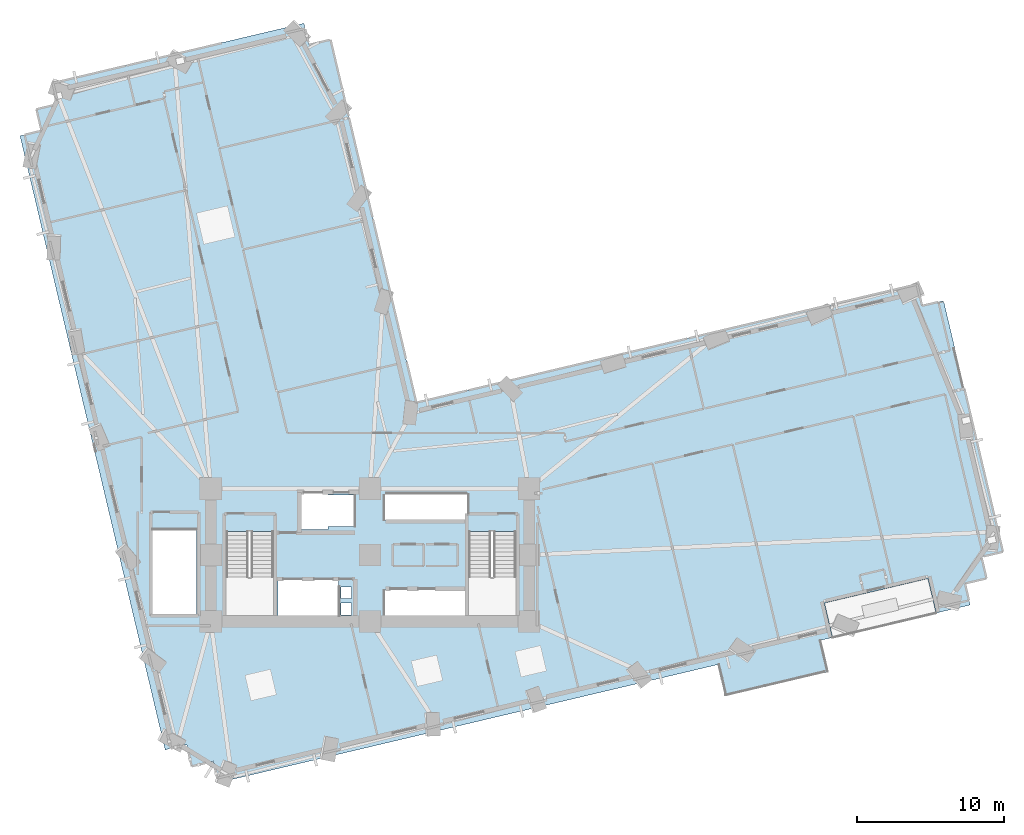
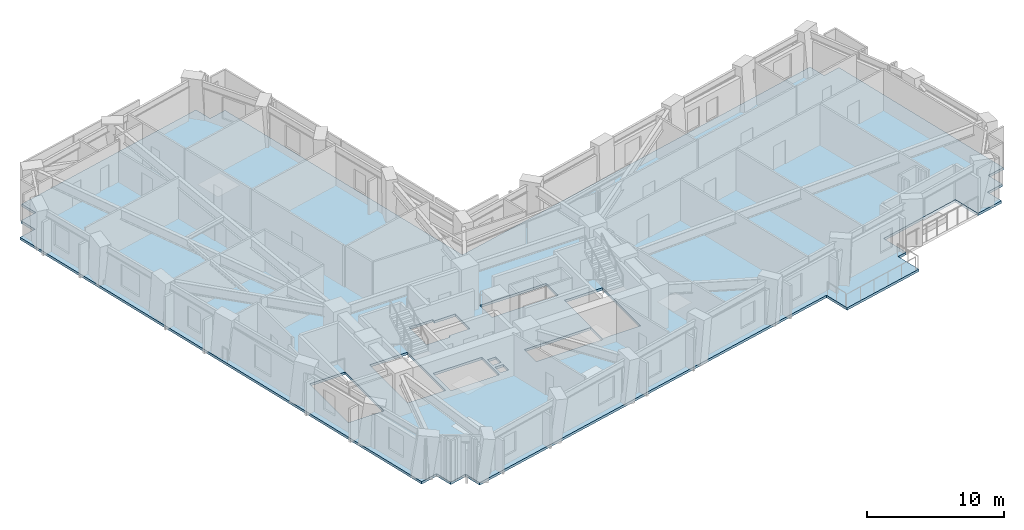
# One storey, part 4 of 14: 1 slab.
"""IFC4 building model written with IfcOpenShell, lengths in metres."""

from ifc_helpers import new_model, si_unit, direction, frame, origin, place, context, subcontext, project, spatial, polyline, outline, extrude, material, layer, layer_set, type_object, element, save


model = new_model("IFC4")

# Units and contexts
model_context = context("Model", 3, precision=1e-05, world=origin(), true_north=direction((0.0, 1.0)))
body_context = subcontext(model_context, "Body", "Model", "MODEL_VIEW")
ifc_project = project(units=[si_unit("LENGTHUNIT", "METRE"), si_unit("AREAUNIT", "SQUARE_METRE"), si_unit("VOLUMEUNIT", "CUBIC_METRE"), si_unit("PLANEANGLEUNIT", "RADIAN"), si_unit("MASSUNIT", "GRAM", prefix="KILO")], contexts=[model_context])

# Site, building, storey
site_placement = place(None, origin())
site = spatial("IfcSite", under=ifc_project, at=site_placement, CompositionType="ELEMENT")
building_placement = place(site_placement, origin())
building = spatial("IfcBuilding", under=site, at=building_placement, Name="Gaonmaruhae Medical Tower", CompositionType="ELEMENT")
storey_placement = place(building_placement, frame((0.0, 0.0, 79.0)))
storey = spatial("IfcBuildingStorey", under=building, at=storey_placement, Name="L18", CompositionType="ELEMENT", Elevation=79.0)

# Slab
ifc_material = material(Name="Concrete C40/50", Category="concrete")
ifc_layer = layer(ifc_material, 0.219970703125)
ifc_layer_set = layer_set([ifc_layer], Name="Concrete C40/50")
slab_type = type_object("IfcSlabType", Name="FS-220 Clinical Ward Composite Floor Slab", PredefinedType="FLOOR", material=ifc_layer_set)
slab_placement = place(storey_placement, frame((0.0, 0.0, -0.219970703125)))
element("IfcSlab", 1, at=slab_placement, inside=storey, type_object=slab_type, Name="L18 Structural Slab 1", PredefinedType="FLOOR", context=body_context, shape_type="SweptSolid", body=[
    extrude(outline(polyline([(14.170654296875, -1.679931640625), (12.710693359375, -2.02490234375), (12.36572265625, -0.565185546875), (10.906005859375, -0.910400390625), (1.059814453125, 40.74169921875), (2.51953125, 41.0869140625), (2.174560546875, 42.546630859375), (3.63427734375, 42.8916015625), (3.289306640625, 44.351318359375), (20.31982421875, 48.377197265625), (20.664794921875, 46.91748046875), (22.124755859375, 47.2626953125), (27.945068359375, 22.64111328125), (61.908935546875, 30.669921875), (62.25390625, 29.210205078125), (63.7138671875, 29.55517578125), (67.739501953125, 12.524658203125), (66.27978515625, 12.179443359375), (66.625, 10.7197265625), (65.165283203125, 10.374755859375), (65.51025390625, 8.914794921875), (63.198974609375, 8.368408203125), (62.646728515625, 10.7041015625), (55.639892578125, 9.0478515625), (56.19189453125, 6.712158203125), (55.41357421875, 6.528076171875), (55.919677734375, 4.38720703125), (48.91259765625, 2.730712890625), (48.406494140625, 4.871826171875), (14.515625, -3.1396484375), (14.170654296875, -1.679931640625)]), holes=[polyline([(23.550048828125, 8.25), (22.85009765625, 8.25), (22.85009765625, 9.050048828125), (23.550048828125, 9.050048828125), (23.550048828125, 8.25)]), polyline([(25.824951171875, 9.925048828125), (31.425048828125, 9.925048828125), (31.425048828125, 8.175048828125), (25.824951171875, 8.175048828125), (25.824951171875, 9.925048828125)]), polyline([(22.64990234375, 10.625), (22.64990234375, 8.074951171875), (18.550048828125, 8.074951171875), (18.550048828125, 10.625), (22.64990234375, 10.625)]), polyline([(23.550048828125, 9.35009765625), (22.85009765625, 9.35009765625), (22.85009765625, 10.14990234375), (23.550048828125, 10.14990234375), (23.550048828125, 9.35009765625)]), polyline([(15.050048828125, 13.889892578125), (18.25, 13.889892578125), (18.25, 8.300048828125), (15.050048828125, 8.300048828125), (15.050048828125, 13.889892578125)]), polyline([(31.5, 13.889892578125), (34.699951171875, 13.889892578125), (34.699951171875, 8.300048828125), (31.5, 8.300048828125), (31.5, 13.889892578125)]), polyline([(10.050048828125, 13.989990234375), (13.050048828125, 13.989990234375), (13.050048828125, 8.300048828125), (10.050048828125, 8.300048828125), (10.050048828125, 13.989990234375)]), polyline([(21.949951171875, 14.02490234375), (19.949951171875, 14.02490234375), (19.949951171875, 16.574951171875), (21.949951171875, 16.574951171875), (21.949951171875, 16.375), (23.72509765625, 16.375), (23.72509765625, 14.22509765625), (21.949951171875, 14.22509765625), (21.949951171875, 14.02490234375)]), polyline([(31.425048828125, 16.425048828125), (31.425048828125, 14.675048828125), (25.824951171875, 14.675048828125), (25.824951171875, 16.425048828125), (31.425048828125, 16.425048828125)])]), origin(), (0.0, 0.0, 1.0), 0.219970703125),
])

save(model, "model.ifc")
